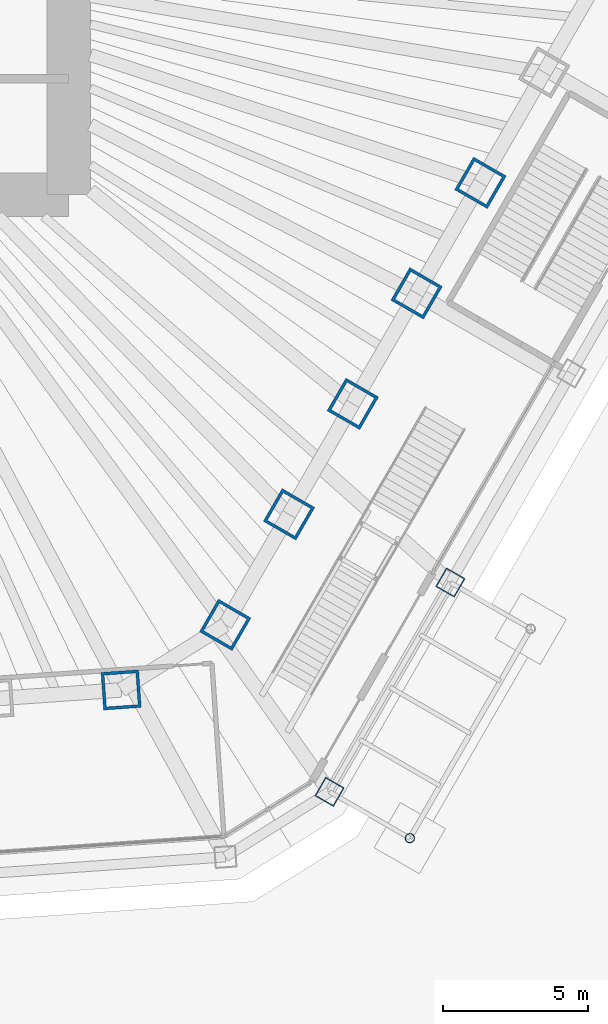
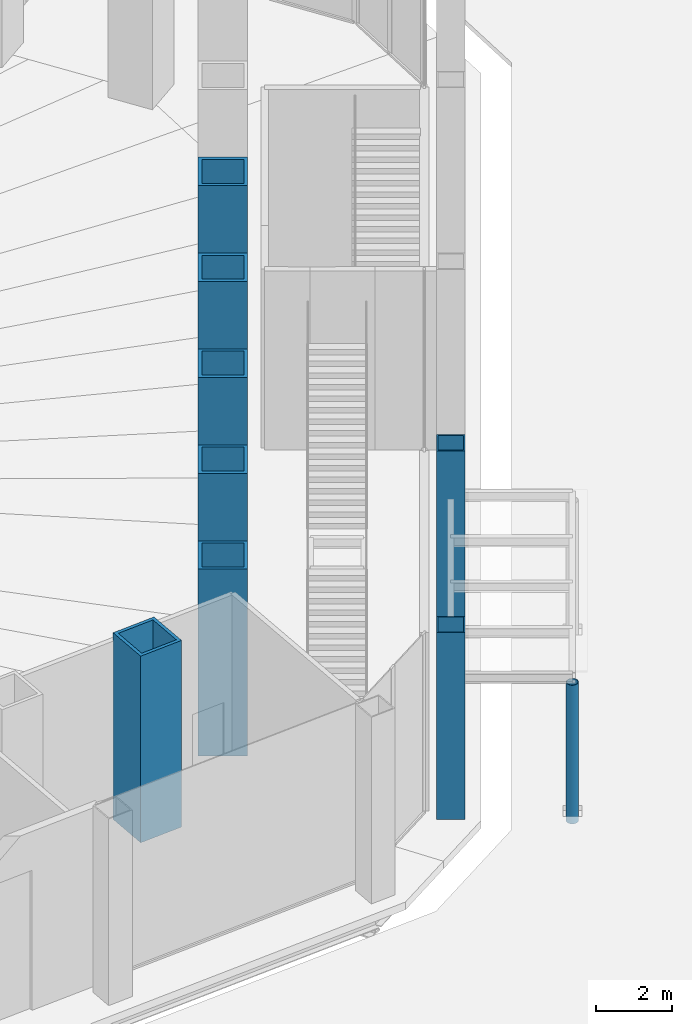
# One storey, part 4 of 45: 9 columns.
"""IFC4 building model written with IfcOpenShell, lengths in metres."""

import ifcopenshell
import ifcopenshell.guid

model = None  # the IFC model being written
_history = None  # IfcOwnerHistory: only IFC2X3 demands one
_inside = {}  # id of a spatial element -> (the spatial element, [elements in it])
_under = {}  # id of a project, library or spatial element -> (it, [spatial elements below it])
_declared = {}  # id of a project -> (the project, [libraries it declares])
_typed = {}  # id of a type object -> (the type object, [elements of that type])
_made_of = {}  # id of a material, layer set ... -> (it, [elements and type objects made of it])


def new_model(schema):
    """Start an empty IFC model of exactly this schema.

    Asked for "IFC4X3", IfcOpenShell would pick the latest addendum, in which some entities
    have other attributes; the version numbers below select the first issue.
    IFC2X3 requires an IfcOwnerHistory on every rooted entity: one is made here for all.
    """
    global model, _history
    if schema == "IFC4X3":
        model = ifcopenshell.file(schema_version=(4, 3, 0, 0))
    else:
        model = ifcopenshell.file(schema=schema)
    _inside.clear()
    _under.clear()
    _declared.clear()
    _typed.clear()
    _made_of.clear()
    _history = None
    if model.schema == "IFC2X3":
        org = make("IfcOrganization", Name="unknown")
        user = make(
            "IfcPersonAndOrganization",
            ThePerson=make("IfcPerson", FamilyName="unknown"),
            TheOrganization=org,
        )
        app = make(
            "IfcApplication",
            ApplicationDeveloper=org,
            Version="unknown",
            ApplicationFullName="unknown",
            ApplicationIdentifier="unknown",
        )
        _history = make(
            "IfcOwnerHistory",
            OwningUser=user,
            OwningApplication=app,
            ChangeAction="ADDED",
            CreationDate=0,
        )
    return model


def make(cls, **values):
    """One entity of the class cls with the attributes given. An attribute that is None is left unset."""
    return model.create_entity(
        cls, **{name: value for name, value in values.items() if value is not None}
    )


def rooted(cls, **values):
    """An entity with a GlobalId (a new one), such as an element, a storey or a relation."""
    return make(cls, GlobalId=ifcopenshell.guid.new(), OwnerHistory=_history, **values)


def si_unit(unit_type, name, prefix=None):
    """IfcSIUnit, for example si_unit("LENGTHUNIT", "METRE", prefix="MILLI")."""
    return make("IfcSIUnit", UnitType=unit_type, Prefix=prefix, Name=name)


def assignment(units):
    """IfcUnitAssignment: the units of a project."""
    return None if units is None else make("IfcUnitAssignment", Units=units)


def point(xyz):
    """IfcCartesianPoint."""
    return None if xyz is None else make("IfcCartesianPoint", Coordinates=xyz)


def direction(xyz):
    """IfcDirection."""
    return None if xyz is None else make("IfcDirection", DirectionRatios=xyz)


def frame(location, z_axis=None, x_axis=None):
    """IfcAxis2Placement3D, a coordinate frame: its origin and axes. An axis left out is left unset."""
    return make(
        "IfcAxis2Placement3D",
        Location=point(location),
        Axis=direction(z_axis),
        RefDirection=direction(x_axis),
    )


def frame_2d(location, x_axis=None):
    """IfcAxis2Placement2D, a coordinate frame in the plane: its origin and x axis."""
    return make(
        "IfcAxis2Placement2D", Location=point(location), RefDirection=direction(x_axis)
    )


def origin():
    """The frame at (0, 0, 0) with its axes left unset."""
    return frame((0.0, 0.0, 0.0))


def origin_2d():
    """The frame at (0, 0) in the plane with its x axis left unset."""
    return frame_2d((0.0, 0.0))


def place(relative_to, where):
    """IfcLocalPlacement: puts the frame where relative to a parent placement (None: the world)."""
    return make(
        "IfcLocalPlacement", PlacementRelTo=relative_to, RelativePlacement=where
    )


def context(
    kind, dimensions, precision=None, world=None, true_north=None, identifier=None
):
    """IfcGeometricRepresentationContext, for example the 3D "Model" context."""
    return make(
        "IfcGeometricRepresentationContext",
        ContextIdentifier=identifier,
        ContextType=kind,
        CoordinateSpaceDimension=dimensions,
        Precision=precision,
        WorldCoordinateSystem=world,
        TrueNorth=true_north,
    )


def subcontext(parent, identifier, kind, view, scale=None):
    """IfcGeometricRepresentationSubContext, for example "Body" below "Model"."""
    return make(
        "IfcGeometricRepresentationSubContext",
        ContextIdentifier=identifier,
        ContextType=kind,
        ParentContext=parent,
        TargetScale=scale,
        TargetView=view,
    )


def project(units=None, contexts=None):
    """IfcProject with its units and contexts."""
    return rooted(
        "IfcProject",
        Name="project",
        RepresentationContexts=contexts,
        UnitsInContext=assignment(units),
    )


def spatial(cls, under=None, at=None, **own):
    """A site, building, storey or space (cls), placed at a placement, below another one or the project."""
    s = rooted(cls, ObjectPlacement=at, **own)
    if under is not None:
        _under.setdefault(under.id(), (under, []))[1].append(s)
    return s


def profile(cls, at=None, kind="AREA", **sizes):
    """A parametric profile (cls). Its sizes go by their IFC names, for example OverallWidth=200.0."""
    return make(cls, ProfileType=kind, Position=at, **sizes)


def hollow_rectangle(**sizes):
    """IfcRectangleHollowProfileDef."""
    return profile("IfcRectangleHollowProfileDef", **sizes)


def hollow_circle(**sizes):
    """IfcCircleHollowProfileDef."""
    return profile("IfcCircleHollowProfileDef", **sizes)


def extrude(swept, where, along, depth):
    """IfcExtrudedAreaSolid: the profile swept, set in the frame where, extruded along a direction by depth."""
    return make(
        "IfcExtrudedAreaSolid",
        SweptArea=swept,
        Position=where,
        ExtrudedDirection=direction(along),
        Depth=depth,
    )


def shape(context_of_items, identifier, shape_type, items):
    """IfcShapeRepresentation: the items that make up one representation, for example the "Body"."""
    return make(
        "IfcShapeRepresentation",
        ContextOfItems=context_of_items,
        RepresentationIdentifier=identifier,
        RepresentationType=shape_type,
        Items=items,
    )


def material(Name=None, Category=None):
    """IfcMaterial."""
    return make("IfcMaterial", Name=Name, Category=Category)


def material_profile(
    of_material, cross_section, Name=None, Category=None, Priority=None
):
    """IfcMaterialProfile: a cross section and its material."""
    return make(
        "IfcMaterialProfile",
        Name=Name,
        Material=of_material,
        Profile=cross_section,
        Priority=Priority,
        Category=Category,
    )


def profile_set(profiles, Name=None, composite=None):
    """IfcMaterialProfileSet."""
    return make(
        "IfcMaterialProfileSet",
        Name=Name,
        MaterialProfiles=profiles,
        CompositeProfile=composite,
    )


def made_of(thing, what):
    """Note that an element or type object is made of a material, layer set ...; save() writes the relation."""
    if what is not None:
        _made_of.setdefault(what.id(), (what, []))[1].append(thing)
    return thing


def type_object(cls, material=None, **own):
    """A type object (cls), such as IfcWallType, which elements share."""
    return made_of(rooted(cls, **own), material)


def element(
    cls,
    number,
    at=None,
    inside=None,
    cuts=None,
    type_object=None,
    material=None,
    context=None,
    identifier="Body",
    shape_type=None,
    held_by="IfcProductDefinitionShape",
    body=None,
    shapes=None,
    **own,
):
    """One element of the class cls, such as IfcWall. Its Tag is "e" and its number.

    at: its placement. inside: the storey or other place that contains it. cuts: it is an
    opening in that element (IfcRelVoidsElement). A single representation is given by context,
    identifier, shape_type and body (its items); several are given by shapes. held_by: the class
    of the entity that holds the representations. save() writes the other relations.
    """
    e = rooted(cls, Tag="e%d" % number, ObjectPlacement=at, **own)
    if body is not None:
        shapes = [shape(context, identifier, shape_type, body)]
    if shapes is not None:
        e.Representation = make(held_by, Representations=shapes)
    if inside is not None:
        _inside.setdefault(inside.id(), (inside, []))[1].append(e)
    if cuts is not None:
        rooted(
            "IfcRelVoidsElement", RelatingBuildingElement=cuts, RelatedOpeningElement=e
        )
    if type_object is not None:
        _typed.setdefault(type_object.id(), (type_object, []))[1].append(e)
    return made_of(e, material)


def aggregate(whole, parts):
    """IfcRelAggregates: a whole, such as a stair, and the parts it consists of."""
    return rooted("IfcRelAggregates", RelatingObject=whole, RelatedObjects=parts)


def save(model, path):
    """Write the relations noted so far, then the file.

    IfcRelAggregates (storeys below a building ...), IfcRelContainedInSpatialStructure (elements
    in a storey), IfcRelDefinesByType, IfcRelAssociatesMaterial and IfcRelDeclares: one each for
    every whole, place, type object, material and project.
    """
    for whole, parts in _under.values():
        aggregate(whole, parts)
    for where, things in _inside.values():
        rooted(
            "IfcRelContainedInSpatialStructure",
            RelatedElements=things,
            RelatingStructure=where,
        )
    for kind, things in _typed.values():
        rooted("IfcRelDefinesByType", RelatedObjects=things, RelatingType=kind)
    for what, things in _made_of.values():
        rooted("IfcRelAssociatesMaterial", RelatedObjects=things, RelatingMaterial=what)
    for by, libraries in _declared.values():
        rooted("IfcRelDeclares", RelatingContext=by, RelatedDefinitions=libraries)
    model.write(path)


model = new_model("IFC4")

# Units and contexts
model_context = context("Model", 3, precision=1e-05, world=origin(), true_north=direction((0.0, 1.0)))
body_context = subcontext(model_context, "Body", "Model", "MODEL_VIEW")
ifc_project = project(units=[si_unit("LENGTHUNIT", "METRE"), si_unit("AREAUNIT", "SQUARE_METRE"), si_unit("VOLUMEUNIT", "CUBIC_METRE"), si_unit("PLANEANGLEUNIT", "RADIAN"), si_unit("MASSUNIT", "GRAM", prefix="KILO")], contexts=[model_context])

# Site, building, storey
site_placement = place(None, origin())
site = spatial("IfcSite", under=ifc_project, at=site_placement, CompositionType="ELEMENT")
building_placement = place(site_placement, origin())
building = spatial("IfcBuilding", under=site, at=building_placement, Name="Qingtian Harvest Tower", CompositionType="ELEMENT")
storey_placement = place(building_placement, origin())
storey = spatial("IfcBuildingStorey", under=building, at=storey_placement, Name="L00", CompositionType="ELEMENT", Elevation=0.0)

# Columns
ifc_material_1 = material(Name="Steel SN490B", Category="steel")
ifc_material_profile_1 = material_profile(ifc_material_1, hollow_circle(Radius=0.161865234375, WallThickness=0.012451171875, at=origin_2d()), Name="CHS324x12.5")
ifc_profile_set_1 = profile_set([ifc_material_profile_1], Name="Steel SN490B")
column_type_1 = type_object("IfcColumnType", Name="Canopy column CC1 CHS324x12.5", PredefinedType="COLUMN", material=ifc_profile_set_1)
column_placement = place(storey_placement, frame((23.77685546875, -31.21728515625, -0.300048828125), z_axis=(0.0, 0.0, 1.0), x_axis=(1.0, 0.0, 0.0)))
element("IfcColumn", 1, at=column_placement, inside=storey, type_object=column_type_1, Name="Canopy column CC1 CN3 4", PredefinedType="COLUMN", context=body_context, shape_type="SweptSolid", body=[
    extrude(hollow_circle(Radius=0.161865234375, WallThickness=0.012451171875, at=origin_2d()), origin(), (0.0, 0.0, 1.0), 4.4599609375),
])
ifc_material_2 = material(Name="Steel SM570MC", Category="steel")
ifc_material_profile_2 = material_profile(ifc_material_2, hollow_rectangle(XDim=0.75, YDim=0.75, WallThickness=0.035888671875, at=origin_2d()), Name="BOX750x750x36")
ifc_profile_set_2 = profile_set([ifc_material_profile_2], Name="Steel SM570MC")
column_type_2 = type_object("IfcColumnType", Name="Podium column PC1 BOX750x750x36", PredefinedType="COLUMN", material=ifc_profile_set_2)
for number, where, z_axis, x_axis, name in (
    (2, (25.176513671875, -22.39306640625, 0.0), (0.0, 0.0, 1.0), (0.5, 0.866025403784, 0.0), "Podium column PC1 SE3"),
    (3, (21.005615234375, -29.6171875, 0.0), (0.0, 0.0, 1.0), (0.5, 0.866025403784, 0.0), "Podium column PC1 SE4"),
):
    element("IfcColumn", number, at=place(storey_placement, frame(where, z_axis=z_axis, x_axis=x_axis)), inside=storey, type_object=column_type_2, Name=name, PredefinedType="COLUMN", context=body_context, shape_type="SweptSolid", body=[
        extrude(hollow_rectangle(XDim=0.75, YDim=0.75, WallThickness=0.035888671875, at=origin_2d()), origin(), (0.0, 0.0, 1.0), 6.0),
    ])
ifc_material_3 = material(Name="Steel SM570MC", Category="steel")
ifc_material_profile_3 = material_profile(ifc_material_3, hollow_rectangle(XDim=1.300048828125, YDim=1.300048828125, WallThickness=0.10009765625, at=origin_2d()), Name="BOX1300x1300x100")
ifc_profile_set_3 = profile_set([ifc_material_profile_3], Name="Steel SM570MC")
column_type_3 = type_object("IfcColumnType", Name="Tube column TC1 BOX1300x1300x100", PredefinedType="COLUMN", material=ifc_profile_set_3)
for number, where, z_axis, x_axis, name in (
    (4, (26.2138671875, -8.596435546875, 0.0), (0.0, 0.0, 1.0), (0.5, 0.866025403784, 0.0), "Tube column TC1 SE2"),
    (5, (24.011474609375, -12.410888671875, 0.0), (0.0, 0.0, 1.0), (0.5, 0.866025403784, 0.0), "Tube column TC1 SE3"),
    (6, (21.809326171875, -16.225341796875, 0.0), (0.0, 0.0, 1.0), (0.5, 0.866025403784, 0.0), "Tube column TC1 SE4"),
    (7, (19.60693359375, -20.039794921875, 0.0), (0.0, 0.0, 1.0), (0.5, 0.866025403784, 0.0), "Tube column TC1 SE5"),
    (8, (17.404541015625, -23.854248046875, 0.0), (0.0, 0.0, 1.0), (0.5, 0.866025403784, 0.0), "Tube column TC1 SE6"),
    (9, (13.810546875, -26.10009765625, 0.0), (0.0, 0.0, 1.0), (0.99756405026, 0.069756473744, 0.0), "Tube column TC1 S0"),
):
    element("IfcColumn", number, at=place(storey_placement, frame(where, z_axis=z_axis, x_axis=x_axis)), inside=storey, type_object=column_type_3, Name=name, PredefinedType="COLUMN", context=body_context, shape_type="SweptSolid", body=[
        extrude(hollow_rectangle(XDim=1.300048828125, YDim=1.300048828125, WallThickness=0.10009765625, at=origin_2d()), origin(), (0.0, 0.0, 1.0), 6.0),
    ])

save(model, "model.ifc")
